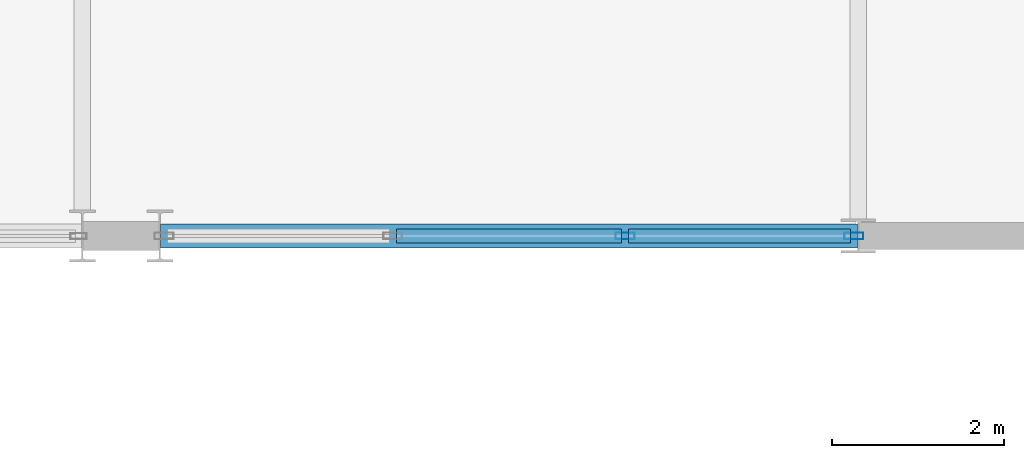
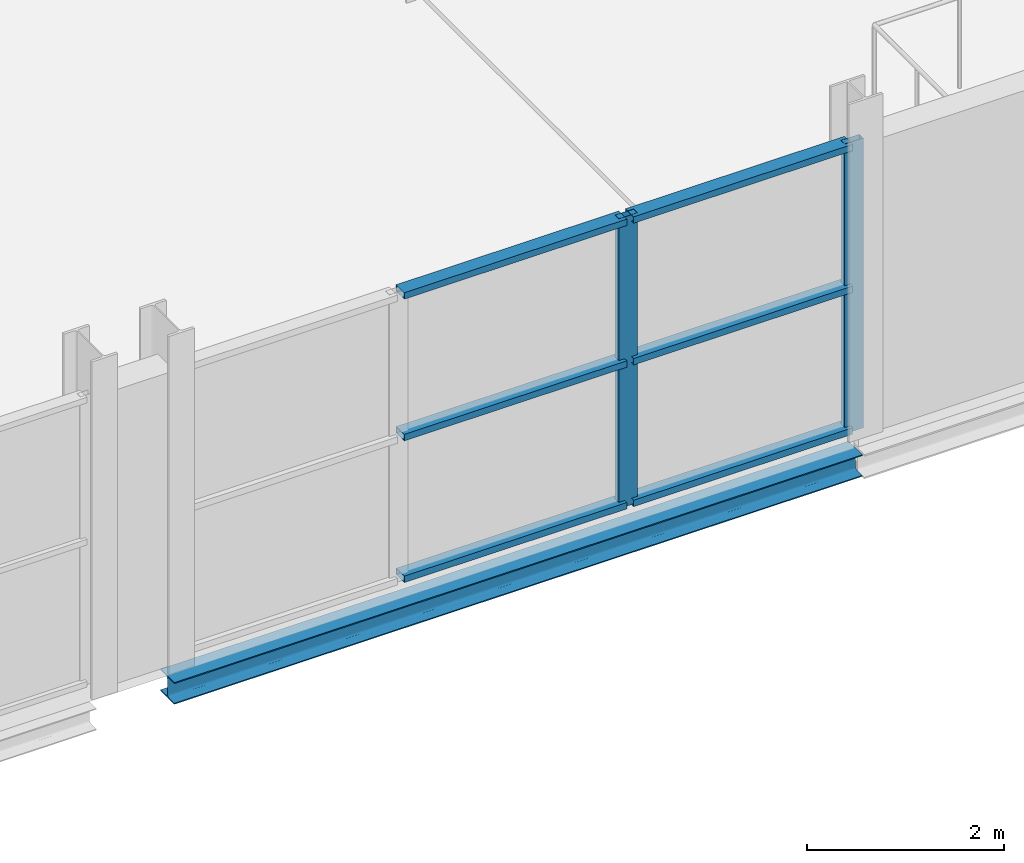
# One storey, part 77 of 135: 8 members, 1 beam, 1 element without a shape of its own.
"""IFC4 building model written with IfcOpenShell, lengths in metres."""

import ifcopenshell
import ifcopenshell.guid

model = None  # the IFC model being written
_history = None  # IfcOwnerHistory: only IFC2X3 demands one
_inside = {}  # id of a spatial element -> (the spatial element, [elements in it])
_under = {}  # id of a project, library or spatial element -> (it, [spatial elements below it])
_declared = {}  # id of a project -> (the project, [libraries it declares])
_typed = {}  # id of a type object -> (the type object, [elements of that type])
_made_of = {}  # id of a material, layer set ... -> (it, [elements and type objects made of it])


def new_model(schema):
    """Start an empty IFC model of exactly this schema.

    Asked for "IFC4X3", IfcOpenShell would pick the latest addendum, in which some entities
    have other attributes; the version numbers below select the first issue.
    IFC2X3 requires an IfcOwnerHistory on every rooted entity: one is made here for all.
    """
    global model, _history
    if schema == "IFC4X3":
        model = ifcopenshell.file(schema_version=(4, 3, 0, 0))
    else:
        model = ifcopenshell.file(schema=schema)
    _inside.clear()
    _under.clear()
    _declared.clear()
    _typed.clear()
    _made_of.clear()
    _history = None
    if model.schema == "IFC2X3":
        org = make("IfcOrganization", Name="unknown")
        user = make(
            "IfcPersonAndOrganization",
            ThePerson=make("IfcPerson", FamilyName="unknown"),
            TheOrganization=org,
        )
        app = make(
            "IfcApplication",
            ApplicationDeveloper=org,
            Version="unknown",
            ApplicationFullName="unknown",
            ApplicationIdentifier="unknown",
        )
        _history = make(
            "IfcOwnerHistory",
            OwningUser=user,
            OwningApplication=app,
            ChangeAction="ADDED",
            CreationDate=0,
        )
    return model


def make(cls, **values):
    """One entity of the class cls with the attributes given. An attribute that is None is left unset."""
    return model.create_entity(
        cls, **{name: value for name, value in values.items() if value is not None}
    )


def rooted(cls, **values):
    """An entity with a GlobalId (a new one), such as an element, a storey or a relation."""
    return make(cls, GlobalId=ifcopenshell.guid.new(), OwnerHistory=_history, **values)


def si_unit(unit_type, name, prefix=None):
    """IfcSIUnit, for example si_unit("LENGTHUNIT", "METRE", prefix="MILLI")."""
    return make("IfcSIUnit", UnitType=unit_type, Prefix=prefix, Name=name)


def assignment(units):
    """IfcUnitAssignment: the units of a project."""
    return None if units is None else make("IfcUnitAssignment", Units=units)


def point(xyz):
    """IfcCartesianPoint."""
    return None if xyz is None else make("IfcCartesianPoint", Coordinates=xyz)


def direction(xyz):
    """IfcDirection."""
    return None if xyz is None else make("IfcDirection", DirectionRatios=xyz)


def frame(location, z_axis=None, x_axis=None):
    """IfcAxis2Placement3D, a coordinate frame: its origin and axes. An axis left out is left unset."""
    return make(
        "IfcAxis2Placement3D",
        Location=point(location),
        Axis=direction(z_axis),
        RefDirection=direction(x_axis),
    )


def frame_2d(location, x_axis=None):
    """IfcAxis2Placement2D, a coordinate frame in the plane: its origin and x axis."""
    return make(
        "IfcAxis2Placement2D", Location=point(location), RefDirection=direction(x_axis)
    )


def origin():
    """The frame at (0, 0, 0) with its axes left unset."""
    return frame((0.0, 0.0, 0.0))


def origin_2d():
    """The frame at (0, 0) in the plane with its x axis left unset."""
    return frame_2d((0.0, 0.0))


def place(relative_to, where):
    """IfcLocalPlacement: puts the frame where relative to a parent placement (None: the world)."""
    return make(
        "IfcLocalPlacement", PlacementRelTo=relative_to, RelativePlacement=where
    )


def context(
    kind, dimensions, precision=None, world=None, true_north=None, identifier=None
):
    """IfcGeometricRepresentationContext, for example the 3D "Model" context."""
    return make(
        "IfcGeometricRepresentationContext",
        ContextIdentifier=identifier,
        ContextType=kind,
        CoordinateSpaceDimension=dimensions,
        Precision=precision,
        WorldCoordinateSystem=world,
        TrueNorth=true_north,
    )


def subcontext(parent, identifier, kind, view, scale=None):
    """IfcGeometricRepresentationSubContext, for example "Body" below "Model"."""
    return make(
        "IfcGeometricRepresentationSubContext",
        ContextIdentifier=identifier,
        ContextType=kind,
        ParentContext=parent,
        TargetScale=scale,
        TargetView=view,
    )


def project(units=None, contexts=None):
    """IfcProject with its units and contexts."""
    return rooted(
        "IfcProject",
        Name="project",
        RepresentationContexts=contexts,
        UnitsInContext=assignment(units),
    )


def spatial(cls, under=None, at=None, **own):
    """A site, building, storey or space (cls), placed at a placement, below another one or the project."""
    s = rooted(cls, ObjectPlacement=at, **own)
    if under is not None:
        _under.setdefault(under.id(), (under, []))[1].append(s)
    return s


def profile(cls, at=None, kind="AREA", **sizes):
    """A parametric profile (cls). Its sizes go by their IFC names, for example OverallWidth=200.0."""
    return make(cls, ProfileType=kind, Position=at, **sizes)


def hollow_rectangle(**sizes):
    """IfcRectangleHollowProfileDef."""
    return profile("IfcRectangleHollowProfileDef", **sizes)


def i_section(**sizes):
    """IfcIShapeProfileDef."""
    return profile("IfcIShapeProfileDef", **sizes)


def extrude(swept, where, along, depth):
    """IfcExtrudedAreaSolid: the profile swept, set in the frame where, extruded along a direction by depth."""
    return make(
        "IfcExtrudedAreaSolid",
        SweptArea=swept,
        Position=where,
        ExtrudedDirection=direction(along),
        Depth=depth,
    )


def shape(context_of_items, identifier, shape_type, items):
    """IfcShapeRepresentation: the items that make up one representation, for example the "Body"."""
    return make(
        "IfcShapeRepresentation",
        ContextOfItems=context_of_items,
        RepresentationIdentifier=identifier,
        RepresentationType=shape_type,
        Items=items,
    )


def material(Name=None, Category=None):
    """IfcMaterial."""
    return make("IfcMaterial", Name=Name, Category=Category)


def layer(
    of_material, thickness, ventilated=None, Name=None, Category=None, Priority=None
):
    """IfcMaterialLayer: one layer of a wall or slab, of a material (None: an air gap)."""
    return make(
        "IfcMaterialLayer",
        Material=of_material,
        LayerThickness=thickness,
        IsVentilated=ventilated,
        Name=Name,
        Category=Category,
        Priority=Priority,
    )


def layer_set(layers, Name=None):
    """IfcMaterialLayerSet."""
    return make("IfcMaterialLayerSet", MaterialLayers=layers, LayerSetName=Name)


def material_profile(
    of_material, cross_section, Name=None, Category=None, Priority=None
):
    """IfcMaterialProfile: a cross section and its material."""
    return make(
        "IfcMaterialProfile",
        Name=Name,
        Material=of_material,
        Profile=cross_section,
        Priority=Priority,
        Category=Category,
    )


def profile_set(profiles, Name=None, composite=None):
    """IfcMaterialProfileSet."""
    return make(
        "IfcMaterialProfileSet",
        Name=Name,
        MaterialProfiles=profiles,
        CompositeProfile=composite,
    )


def made_of(thing, what):
    """Note that an element or type object is made of a material, layer set ...; save() writes the relation."""
    if what is not None:
        _made_of.setdefault(what.id(), (what, []))[1].append(thing)
    return thing


def type_object(cls, material=None, **own):
    """A type object (cls), such as IfcWallType, which elements share."""
    return made_of(rooted(cls, **own), material)


def element(
    cls,
    number,
    at=None,
    inside=None,
    cuts=None,
    type_object=None,
    material=None,
    context=None,
    identifier="Body",
    shape_type=None,
    held_by="IfcProductDefinitionShape",
    body=None,
    shapes=None,
    **own,
):
    """One element of the class cls, such as IfcWall. Its Tag is "e" and its number.

    at: its placement. inside: the storey or other place that contains it. cuts: it is an
    opening in that element (IfcRelVoidsElement). A single representation is given by context,
    identifier, shape_type and body (its items); several are given by shapes. held_by: the class
    of the entity that holds the representations. save() writes the other relations.
    """
    e = rooted(cls, Tag="e%d" % number, ObjectPlacement=at, **own)
    if body is not None:
        shapes = [shape(context, identifier, shape_type, body)]
    if shapes is not None:
        e.Representation = make(held_by, Representations=shapes)
    if inside is not None:
        _inside.setdefault(inside.id(), (inside, []))[1].append(e)
    if cuts is not None:
        rooted(
            "IfcRelVoidsElement", RelatingBuildingElement=cuts, RelatedOpeningElement=e
        )
    if type_object is not None:
        _typed.setdefault(type_object.id(), (type_object, []))[1].append(e)
    return made_of(e, material)


def aggregate(whole, parts):
    """IfcRelAggregates: a whole, such as a stair, and the parts it consists of."""
    return rooted("IfcRelAggregates", RelatingObject=whole, RelatedObjects=parts)


def save(model, path):
    """Write the relations noted so far, then the file.

    IfcRelAggregates (storeys below a building ...), IfcRelContainedInSpatialStructure (elements
    in a storey), IfcRelDefinesByType, IfcRelAssociatesMaterial and IfcRelDeclares: one each for
    every whole, place, type object, material and project.
    """
    for whole, parts in _under.values():
        aggregate(whole, parts)
    for where, things in _inside.values():
        rooted(
            "IfcRelContainedInSpatialStructure",
            RelatedElements=things,
            RelatingStructure=where,
        )
    for kind, things in _typed.values():
        rooted("IfcRelDefinesByType", RelatedObjects=things, RelatingType=kind)
    for what, things in _made_of.values():
        rooted("IfcRelAssociatesMaterial", RelatedObjects=things, RelatingMaterial=what)
    for by, libraries in _declared.values():
        rooted("IfcRelDeclares", RelatingContext=by, RelatedDefinitions=libraries)
    model.write(path)


model = new_model("IFC4")

# Units and contexts
model_context = context("Model", 3, precision=1e-05, world=origin(), true_north=direction((0.0, 1.0)))
body_context = subcontext(model_context, "Body", "Model", "MODEL_VIEW")
ifc_project = project(units=[si_unit("LENGTHUNIT", "METRE"), si_unit("AREAUNIT", "SQUARE_METRE"), si_unit("VOLUMEUNIT", "CUBIC_METRE"), si_unit("PLANEANGLEUNIT", "RADIAN"), si_unit("MASSUNIT", "GRAM", prefix="KILO")], contexts=[model_context])

# Site, building, storey
site_placement = place(None, origin())
site = spatial("IfcSite", under=ifc_project, at=site_placement, CompositionType="ELEMENT")
building_placement = place(site_placement, origin())
building = spatial("IfcBuilding", under=site, at=building_placement, Name="Deido Ridge Mobility Hub", CompositionType="ELEMENT")
storey_placement = place(building_placement, frame((0.0, 0.0, 4.199951171875)))
storey = spatial("IfcBuildingStorey", under=building, at=storey_placement, Name="L01", CompositionType="ELEMENT", Elevation=4.199951171875)

# Curtain wall, members
ifc_material_1 = material(Name="Anodised aluminium EN AW-6063 T6", Category="aluminium")
ifc_layer = layer(ifc_material_1, 0.2548828125, Name="Anodised aluminium EN AW-6063 T6")
ifc_layer_set = layer_set([ifc_layer], Name="Anodised aluminium EN AW-6063 T6")
curtain_wall_type = type_object("IfcCurtainWallType", Name="CW-UF-7", PredefinedType="USERDEFINED", material=ifc_layer_set)
curtain_wall_placement = place(storey_placement, origin())
curtain_wall = element("IfcCurtainWall", 1, at=curtain_wall_placement, inside=storey, type_object=curtain_wall_type, Name="Unitised curtain wall CW7", ObjectType="UNITISED FACADE", PredefinedType="USERDEFINED")
ifc_material_profile_1 = material_profile(ifc_material_1, hollow_rectangle(XDim=0.080078125, YDim=0.219970703125, WallThickness=0.00390625, at=origin_2d()), Name="RHS 80x220x4")
ifc_profile_set_1 = profile_set([ifc_material_profile_1], Name="Anodised aluminium EN AW-6063 T6")
member_type_1 = type_object("IfcMemberType", Name="MEM-MUL-80X220", PredefinedType="MULLION", material=ifc_profile_set_1)
member_1_placement = place(storey_placement, frame((141.296875, 0.0, 0.0), z_axis=(0.0, 0.0, 1.0), x_axis=(0.0, 1.0, 0.0)))
member_1 = element("IfcMember", 2, at=member_1_placement, type_object=member_type_1, Name="CW7 mullion 3", PredefinedType="MULLION", context=body_context, shape_type="SweptSolid", body=[
    extrude(hollow_rectangle(XDim=0.080078125, YDim=0.219970703125, WallThickness=0.00390625, at=origin_2d()), origin(), (0.0, 0.0, 1.0), 3.60009765625),
])
member_2_placement = place(storey_placement, frame((143.951416015625, 0.0, 0.0), z_axis=(0.0, 0.0, 1.0), x_axis=(0.0, 1.0, 0.0)))
member_2 = element("IfcMember", 3, at=member_2_placement, type_object=member_type_1, Name="CW7 mullion 4", PredefinedType="MULLION", context=body_context, shape_type="SweptSolid", body=[
    extrude(hollow_rectangle(XDim=0.080078125, YDim=0.219970703125, WallThickness=0.00390625, at=origin_2d()), origin(), (0.0, 0.0, 1.0), 3.60009765625),
])
ifc_material_profile_2 = material_profile(ifc_material_1, hollow_rectangle(XDim=0.1650390625, YDim=0.080078125, WallThickness=0.00390625, at=origin_2d()), Name="RHS 165x80x4")
ifc_profile_set_2 = profile_set([ifc_material_profile_2], Name="Anodised aluminium EN AW-6063 T6")
member_type_2 = type_object("IfcMemberType", Name="MEM-TRN-165X80", PredefinedType="USERDEFINED", material=ifc_profile_set_2)
member_3_placement = place(storey_placement, frame((138.642333984375, 0.0, 0.0400390625), z_axis=(1.0, 0.0, 0.0), x_axis=(0.0, 1.0, 0.0)))
member_3 = element("IfcMember", 4, at=member_3_placement, type_object=member_type_2, Name="CW7 transom 2.1", ObjectType="TRANSOM", PredefinedType="USERDEFINED", context=body_context, shape_type="SweptSolid", body=[
    extrude(hollow_rectangle(XDim=0.1650390625, YDim=0.080078125, WallThickness=0.00390625, at=origin_2d()), origin(), (0.0, 0.0, 1.0), 2.614501953125),
])
member_4_placement = place(storey_placement, frame((138.642333984375, 0.0, 1.800048828125), z_axis=(1.0, 0.0, 0.0), x_axis=(0.0, 1.0, 0.0)))
member_4 = element("IfcMember", 5, at=member_4_placement, type_object=member_type_2, Name="CW7 transom 2.2", ObjectType="TRANSOM", PredefinedType="USERDEFINED", context=body_context, shape_type="SweptSolid", body=[
    extrude(hollow_rectangle(XDim=0.1650390625, YDim=0.080078125, WallThickness=0.00390625, at=origin_2d()), origin(), (0.0, 0.0, 1.0), 2.614501953125),
])
member_5_placement = place(storey_placement, frame((138.642333984375, 0.0, 3.56005859375), z_axis=(1.0, 0.0, 0.0), x_axis=(0.0, 1.0, 0.0)))
member_5 = element("IfcMember", 6, at=member_5_placement, type_object=member_type_2, Name="CW7 transom 2.3", ObjectType="TRANSOM", PredefinedType="USERDEFINED", context=body_context, shape_type="SweptSolid", body=[
    extrude(hollow_rectangle(XDim=0.1650390625, YDim=0.080078125, WallThickness=0.00390625, at=origin_2d()), origin(), (0.0, 0.0, 1.0), 2.614501953125),
])
member_6_placement = place(storey_placement, frame((141.336669921875, 0.0, 0.0400390625), z_axis=(1.0, 0.0, 0.0), x_axis=(0.0, 1.0, 0.0)))
member_6 = element("IfcMember", 7, at=member_6_placement, type_object=member_type_2, Name="CW7 transom 3.1", ObjectType="TRANSOM", PredefinedType="USERDEFINED", context=body_context, shape_type="SweptSolid", body=[
    extrude(hollow_rectangle(XDim=0.1650390625, YDim=0.080078125, WallThickness=0.00390625, at=origin_2d()), origin(), (0.0, 0.0, 1.0), 2.57470703125),
])
member_7_placement = place(storey_placement, frame((141.336669921875, 0.0, 1.800048828125), z_axis=(1.0, 0.0, 0.0), x_axis=(0.0, 1.0, 0.0)))
member_7 = element("IfcMember", 8, at=member_7_placement, type_object=member_type_2, Name="CW7 transom 3.2", ObjectType="TRANSOM", PredefinedType="USERDEFINED", context=body_context, shape_type="SweptSolid", body=[
    extrude(hollow_rectangle(XDim=0.1650390625, YDim=0.080078125, WallThickness=0.00390625, at=origin_2d()), origin(), (0.0, 0.0, 1.0), 2.57470703125),
])
member_8_placement = place(storey_placement, frame((141.336669921875, 0.0, 3.56005859375), z_axis=(1.0, 0.0, 0.0), x_axis=(0.0, 1.0, 0.0)))
member_8 = element("IfcMember", 9, at=member_8_placement, type_object=member_type_2, Name="CW7 transom 3.3", ObjectType="TRANSOM", PredefinedType="USERDEFINED", context=body_context, shape_type="SweptSolid", body=[
    extrude(hollow_rectangle(XDim=0.1650390625, YDim=0.080078125, WallThickness=0.00390625, at=origin_2d()), origin(), (0.0, 0.0, 1.0), 2.57470703125),
])
aggregate(curtain_wall, [member_1, member_2, member_3, member_4, member_5, member_6, member_7, member_8])

# Beam
ifc_material_2 = material(Name="Steel S355J2 EN 10025-2", Category="steel")
ifc_material_profile_3 = material_profile(ifc_material_2, i_section(OverallWidth=0.280029296875, OverallDepth=0.27001953125, WebThickness=0.008056640625, FlangeThickness=0.012939453125, FilletRadius=0.02392578125, at=origin_2d()), Name="HEA 280")
ifc_profile_set_3 = profile_set([ifc_material_profile_3], Name="Steel S355J2 EN 10025-2")
beam_type = type_object("IfcBeamType", Name="SPD-HEA280", PredefinedType="SPANDREL", material=ifc_profile_set_3)
beam_placement = place(storey_placement, frame((135.90771484375, 0.0, -0.385009765625), z_axis=(1.0, 0.0, 0.0), x_axis=(0.0, 1.0, 0.0)))
element("IfcBeam", 10, at=beam_placement, inside=storey, type_object=beam_type, Name="Floor beam SP2", PredefinedType="SPANDREL", context=body_context, shape_type="SweptSolid", body=[
    extrude(i_section(OverallWidth=0.280029296875, OverallDepth=0.27001953125, WebThickness=0.008056640625, FlangeThickness=0.012939453125, FilletRadius=0.02392578125, at=origin_2d()), origin(), (0.0, 0.0, 1.0), 8.08349609375),
])

save(model, "model.ifc")
